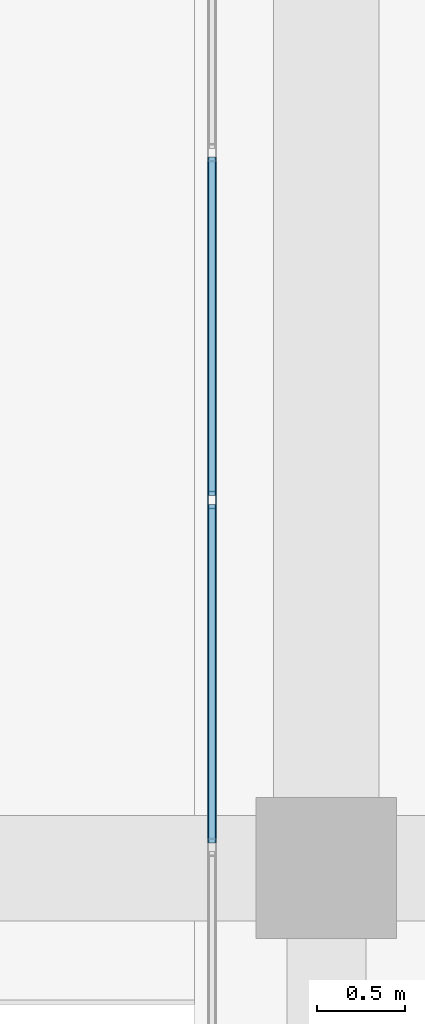
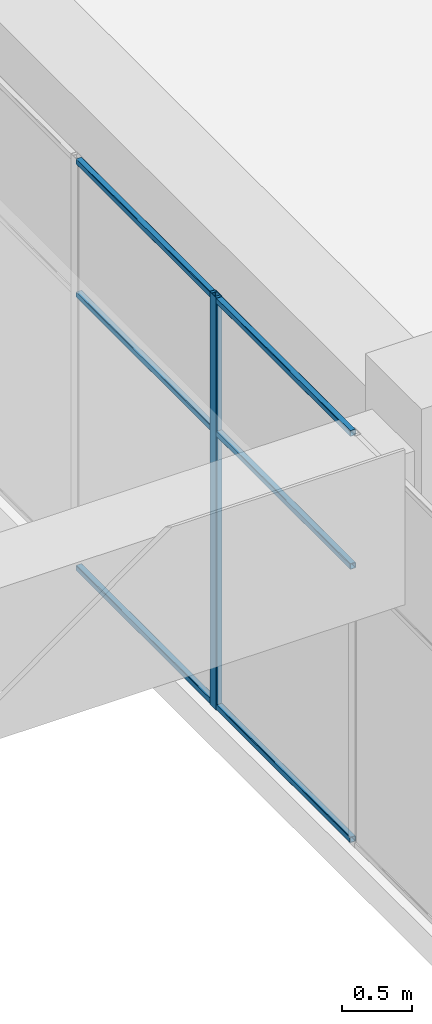
# One storey, part 14 of 52: 7 members, 1 element without a shape of its own.
"""IFC4 building model written with IfcOpenShell, lengths in metres."""

from ifc_helpers import new_model, si_unit, direction, frame, origin, origin_2d, place, context, subcontext, project, spatial, hollow_rectangle, extrude, material, layer, layer_set, material_profile, profile_set, type_object, element, aggregate, save


model = new_model("IFC4")

# Units and contexts
model_context = context("Model", 3, precision=1e-05, world=origin(), true_north=direction((0.0, 1.0)))
body_context = subcontext(model_context, "Body", "Model", "MODEL_VIEW")
ifc_project = project(units=[si_unit("LENGTHUNIT", "METRE"), si_unit("AREAUNIT", "SQUARE_METRE"), si_unit("VOLUMEUNIT", "CUBIC_METRE"), si_unit("PLANEANGLEUNIT", "RADIAN"), si_unit("MASSUNIT", "GRAM", prefix="KILO")], contexts=[model_context])

# Site, building, storey
site_placement = place(None, origin())
site = spatial("IfcSite", under=ifc_project, at=site_placement, CompositionType="ELEMENT")
building_placement = place(site_placement, origin())
building = spatial("IfcBuilding", under=site, at=building_placement, Name="Tuart Plaza Theatre", CompositionType="ELEMENT")
storey_placement = place(building_placement, frame((0.0, 0.0, 25.5)))
storey = spatial("IfcBuildingStorey", under=building, at=storey_placement, Name="L06", CompositionType="ELEMENT", Elevation=25.5)

# Curtain wall, members
ifc_material_1 = material(Name="Aluminium and glass", Category="aluminium")
ifc_layer = layer(ifc_material_1, 0.10009765625)
ifc_layer_set = layer_set([ifc_layer], Name="CURTAIN WALL 2000 module")
curtain_wall_type = type_object("IfcCurtainWallType", Name="CURTAIN WALL 2000 module", PredefinedType="NOTDEFINED", material=ifc_layer_set)
curtain_wall_placement = place(storey_placement, origin())
curtain_wall = element("IfcCurtainWall", 1, at=curtain_wall_placement, inside=storey, type_object=curtain_wall_type, Name="CW86", PredefinedType="NOTDEFINED")
ifc_material_2 = material(Name="Aluminium 6063-T5", Category="aluminium")
ifc_material_profile_1 = material_profile(ifc_material_2, hollow_rectangle(XDim=0.050048828125, YDim=0.10009765625, WallThickness=0.00390625, InnerFilletRadius=0.00390625, OuterFilletRadius=0.008056640625, at=origin_2d()), Name="RHS 100x50x4")
ifc_profile_set_1 = profile_set([ifc_material_profile_1], Name="Aluminium 6063-T5")
member_type_1 = type_object("IfcMemberType", Name="MULLION RHS 100x50x4", PredefinedType="MULLION", material=ifc_profile_set_1)
member_1_placement = place(storey_placement, frame((113.35009765625, 67.092041015625, 0.0), z_axis=(0.0, 0.0, 1.0), x_axis=(1.0, 0.0, 0.0)))
member_1 = element("IfcMember", 2, at=member_1_placement, type_object=member_type_1, Name="CW86 mullion 14", PredefinedType="MULLION", context=body_context, shape_type="SweptSolid", body=[
    extrude(hollow_rectangle(XDim=0.050048828125, YDim=0.10009765625, WallThickness=0.00390625, InnerFilletRadius=0.00390625, OuterFilletRadius=0.008056640625, at=origin_2d()), origin(), (0.0, 0.0, 1.0), 3.580078125),
])
ifc_material_3 = material(Name="Aluminium 6063-T5", Category="aluminium")
ifc_material_profile_2 = material_profile(ifc_material_3, hollow_rectangle(XDim=0.050048828125, YDim=0.050048828125, WallThickness=0.00390625, InnerFilletRadius=0.00390625, OuterFilletRadius=0.008056640625, at=origin_2d()), Name="RHS 50x50x4")
ifc_profile_set_2 = profile_set([ifc_material_profile_2], Name="Aluminium 6063-T5")
member_type_2 = type_object("IfcMemberType", Name="TRANSOM RHS 50x50x4", PredefinedType="USERDEFINED", material=ifc_profile_set_2)
member_2_placement = place(storey_placement, frame((113.35009765625, 69.040771484375, 0.02490234375), z_axis=(0.0, -1.0, 0.0), x_axis=(1.0, 0.0, 0.0)))
member_2 = element("IfcMember", 3, at=member_2_placement, type_object=member_type_2, Name="CW86 transom 13.1", ObjectType="TRANSOM", PredefinedType="USERDEFINED", context=body_context, shape_type="SweptSolid", body=[
    extrude(hollow_rectangle(XDim=0.050048828125, YDim=0.050048828125, WallThickness=0.00390625, InnerFilletRadius=0.00390625, OuterFilletRadius=0.008056640625, at=origin_2d()), origin(), (0.0, 0.0, 1.0), 1.923583984375),
])
member_3_placement = place(storey_placement, frame((113.35009765625, 69.040771484375, 2.39990234375), z_axis=(0.0, -1.0, 0.0), x_axis=(1.0, 0.0, 0.0)))
member_3 = element("IfcMember", 4, at=member_3_placement, type_object=member_type_2, Name="CW86 transom 13.2", ObjectType="TRANSOM", PredefinedType="USERDEFINED", context=body_context, shape_type="SweptSolid", body=[
    extrude(hollow_rectangle(XDim=0.050048828125, YDim=0.050048828125, WallThickness=0.00390625, InnerFilletRadius=0.00390625, OuterFilletRadius=0.008056640625, at=origin_2d()), origin(), (0.0, 0.0, 1.0), 1.923583984375),
])
member_4_placement = place(storey_placement, frame((113.35009765625, 69.040771484375, 3.554931640625), z_axis=(0.0, -1.0, 0.0), x_axis=(1.0, 0.0, 0.0)))
member_4 = element("IfcMember", 5, at=member_4_placement, type_object=member_type_2, Name="CW86 transom 13.3", ObjectType="TRANSOM", PredefinedType="USERDEFINED", context=body_context, shape_type="SweptSolid", body=[
    extrude(hollow_rectangle(XDim=0.050048828125, YDim=0.050048828125, WallThickness=0.00390625, InnerFilletRadius=0.00390625, OuterFilletRadius=0.008056640625, at=origin_2d()), origin(), (0.0, 0.0, 1.0), 1.923583984375),
])
member_5_placement = place(storey_placement, frame((113.35009765625, 67.067138671875, 0.02490234375), z_axis=(0.0, -1.0, 0.0), x_axis=(1.0, 0.0, 0.0)))
member_5 = element("IfcMember", 6, at=member_5_placement, type_object=member_type_2, Name="CW86 transom 14.1", ObjectType="TRANSOM", PredefinedType="USERDEFINED", context=body_context, shape_type="SweptSolid", body=[
    extrude(hollow_rectangle(XDim=0.050048828125, YDim=0.050048828125, WallThickness=0.00390625, InnerFilletRadius=0.00390625, OuterFilletRadius=0.008056640625, at=origin_2d()), origin(), (0.0, 0.0, 1.0), 1.923828125),
])
member_6_placement = place(storey_placement, frame((113.35009765625, 67.067138671875, 2.39990234375), z_axis=(0.0, -1.0, 0.0), x_axis=(1.0, 0.0, 0.0)))
member_6 = element("IfcMember", 7, at=member_6_placement, type_object=member_type_2, Name="CW86 transom 14.2", ObjectType="TRANSOM", PredefinedType="USERDEFINED", context=body_context, shape_type="SweptSolid", body=[
    extrude(hollow_rectangle(XDim=0.050048828125, YDim=0.050048828125, WallThickness=0.00390625, InnerFilletRadius=0.00390625, OuterFilletRadius=0.008056640625, at=origin_2d()), origin(), (0.0, 0.0, 1.0), 1.923828125),
])
member_7_placement = place(storey_placement, frame((113.35009765625, 67.067138671875, 3.554931640625), z_axis=(0.0, -1.0, 0.0), x_axis=(1.0, 0.0, 0.0)))
member_7 = element("IfcMember", 8, at=member_7_placement, type_object=member_type_2, Name="CW86 transom 14.3", ObjectType="TRANSOM", PredefinedType="USERDEFINED", context=body_context, shape_type="SweptSolid", body=[
    extrude(hollow_rectangle(XDim=0.050048828125, YDim=0.050048828125, WallThickness=0.00390625, InnerFilletRadius=0.00390625, OuterFilletRadius=0.008056640625, at=origin_2d()), origin(), (0.0, 0.0, 1.0), 1.923828125),
])
aggregate(curtain_wall, [member_1, member_2, member_3, member_4, member_5, member_6, member_7])

save(model, "model.ifc")
